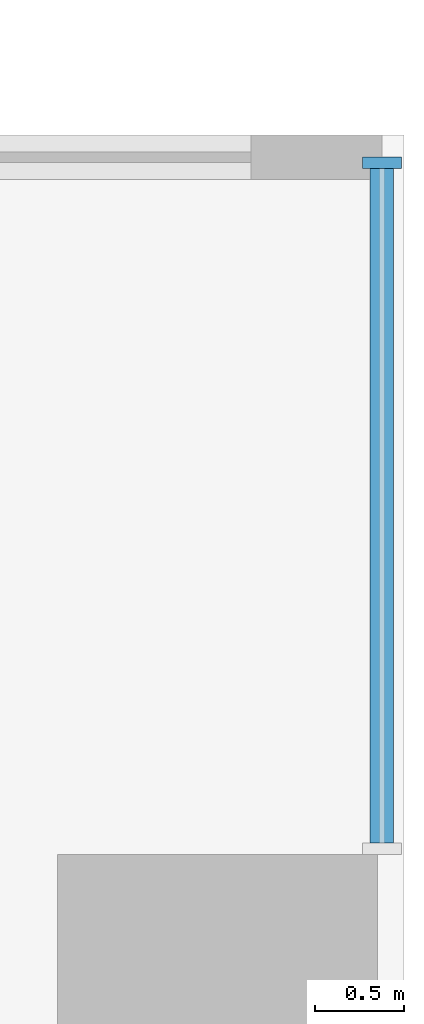
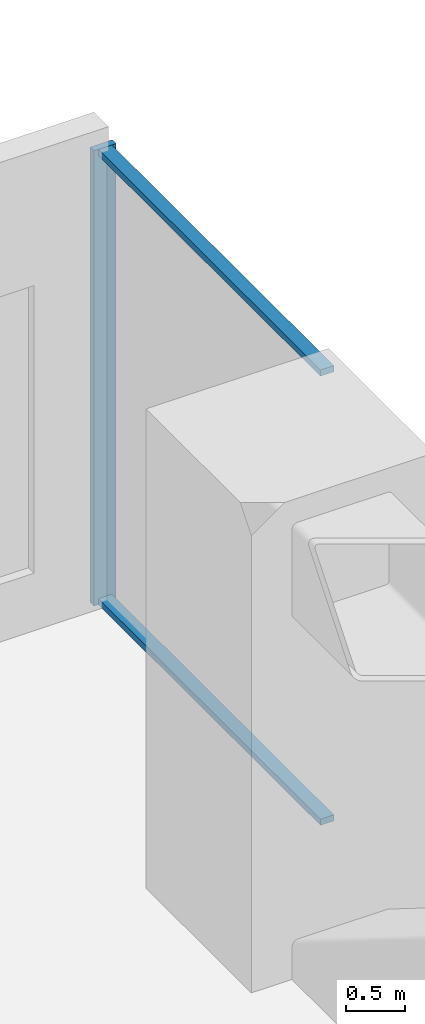
# One storey, part 12 of 19: 3 members, 1 element without a shape of its own.
"""IFC4 building model written with IfcOpenShell, lengths in metres."""

from ifc_helpers import new_model, si_unit, direction, frame, origin, origin_2d, place, context, subcontext, project, spatial, rectangle, extrude, material, layer, layer_set, material_profile, profile_set, type_object, element, aggregate, save


model = new_model("IFC4")

# Units and contexts
model_context = context("Model", 3, precision=1e-05, world=origin(), true_north=direction((0.0, 1.0)))
body_context = subcontext(model_context, "Body", "Model", "MODEL_VIEW")
ifc_project = project(units=[si_unit("LENGTHUNIT", "METRE"), si_unit("AREAUNIT", "SQUARE_METRE"), si_unit("VOLUMEUNIT", "CUBIC_METRE"), si_unit("PLANEANGLEUNIT", "RADIAN"), si_unit("MASSUNIT", "GRAM", prefix="KILO")], contexts=[model_context])

# Site, building, storey
site_placement = place(None, origin())
site = spatial("IfcSite", under=ifc_project, at=site_placement, CompositionType="ELEMENT")
building_placement = place(site_placement, origin())
building = spatial("IfcBuilding", under=site, at=building_placement, Name="Cleftline Residences", CompositionType="ELEMENT")
storey_placement = place(building_placement, frame((0.0, 0.0, 177.199951171875)))
storey = spatial("IfcBuildingStorey", under=building, at=storey_placement, Name="L46", CompositionType="ELEMENT", Elevation=177.199951171875)

# Curtain wall, members
ifc_material_1 = material(Name="Aluminium framed curtain wall", Category="aluminium")
ifc_layer = layer(ifc_material_1, 0.199951171875)
ifc_layer_set = layer_set([ifc_layer], Name="CW4 SKY LOUNGE GLAZING")
curtain_wall_type = type_object("IfcCurtainWallType", Name="CW4 SKY LOUNGE GLAZING", PredefinedType="NOTDEFINED", material=ifc_layer_set)
curtain_wall_placement = place(storey_placement, origin())
curtain_wall = element("IfcCurtainWall", 1, at=curtain_wall_placement, inside=storey, type_object=curtain_wall_type, Name="Curtain wall CW4", PredefinedType="NOTDEFINED")
ifc_material_2 = material(Name="Aluminium mullion", Category="aluminium")
ifc_material_profile_1 = material_profile(ifc_material_2, rectangle(XDim=0.219970703125, YDim=0.06494140625, at=origin_2d()))
ifc_profile_set_1 = profile_set([ifc_material_profile_1], Name="Aluminium mullion")
member_type_1 = type_object("IfcMemberType", Name="CW4 MULLION", PredefinedType="MULLION", material=ifc_profile_set_1)
member_1_placement = place(storey_placement, frame((66.574951171875, 44.79248046875, 0.0), z_axis=(0.0, 0.0, 1.0), x_axis=(-1.0, 0.0, 0.0)))
member_1 = element("IfcMember", 2, at=member_1_placement, type_object=member_type_1, Name="CW4 mullion 2", PredefinedType="MULLION", context=body_context, shape_type="SweptSolid", body=[
    extrude(rectangle(XDim=0.219970703125, YDim=0.06494140625, at=origin_2d()), origin(), (0.0, 0.0, 1.0), 4.75),
])
ifc_material_3 = material(Name="Aluminium transom", Category="aluminium")
ifc_material_profile_2 = material_profile(ifc_material_3, rectangle(XDim=0.132080078125, YDim=0.06494140625, at=origin_2d()))
ifc_profile_set_2 = profile_set([ifc_material_profile_2], Name="Aluminium transom")
member_type_2 = type_object("IfcMemberType", Name="CW4 TRANSOM", PredefinedType="USERDEFINED", material=ifc_profile_set_2)
member_2_placement = place(storey_placement, frame((66.574951171875, 40.965087890625, 0.032470703125), z_axis=(0.0, 1.0, 0.0), x_axis=(-1.0, 0.0, 0.0)))
member_2 = element("IfcMember", 3, at=member_2_placement, type_object=member_type_2, Name="CW4 transom 1.1", ObjectType="TRANSOM", PredefinedType="USERDEFINED", context=body_context, shape_type="SweptSolid", body=[
    extrude(rectangle(XDim=0.132080078125, YDim=0.06494140625, at=origin_2d()), origin(), (0.0, 0.0, 1.0), 3.794921875),
])
member_3_placement = place(storey_placement, frame((66.574951171875, 40.965087890625, 4.717529296875), z_axis=(0.0, 1.0, 0.0), x_axis=(-1.0, 0.0, 0.0)))
member_3 = element("IfcMember", 4, at=member_3_placement, type_object=member_type_2, Name="CW4 transom 1.2", ObjectType="TRANSOM", PredefinedType="USERDEFINED", context=body_context, shape_type="SweptSolid", body=[
    extrude(rectangle(XDim=0.132080078125, YDim=0.06494140625, at=origin_2d()), origin(), (0.0, 0.0, 1.0), 3.794921875),
])
aggregate(curtain_wall, [member_1, member_2, member_3])

save(model, "model.ifc")
